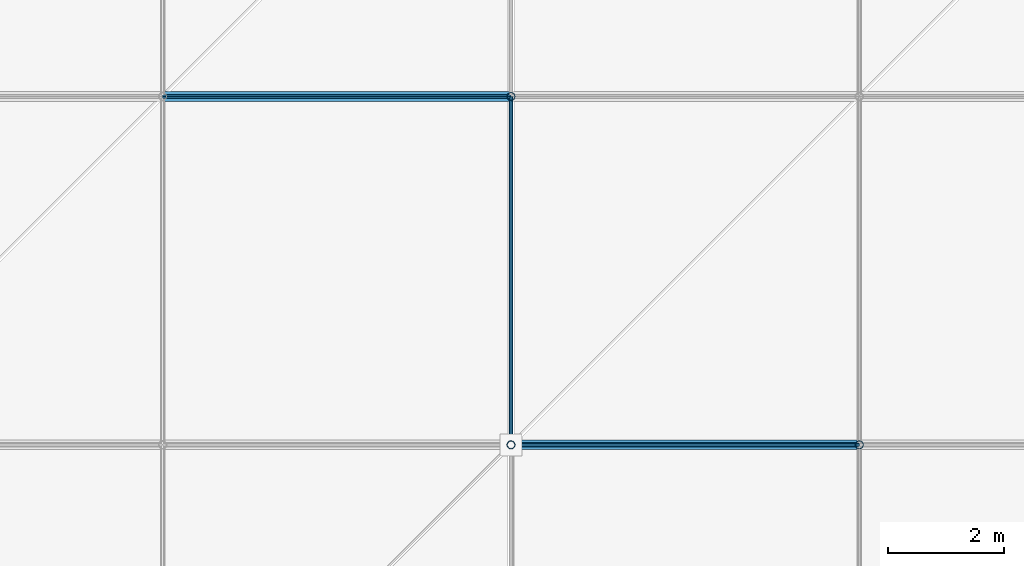
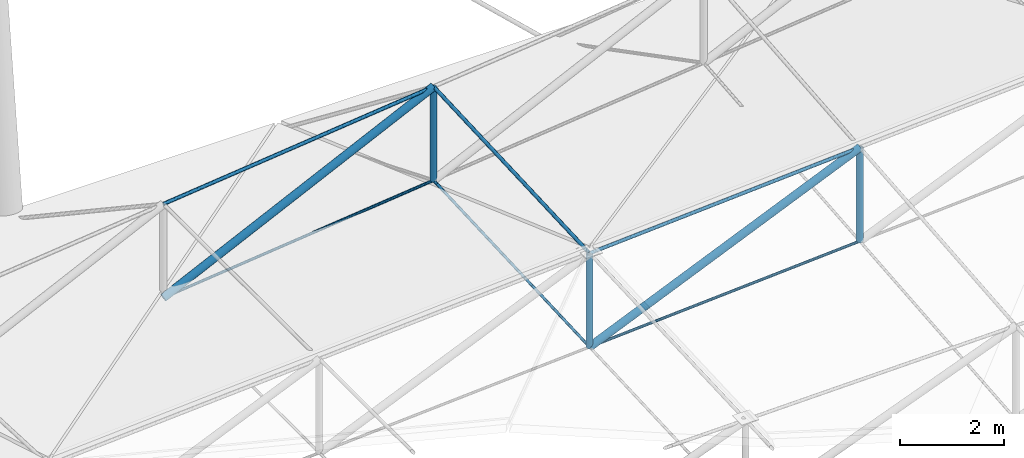
# One storey, part 39 of 132: 11 members.
"""IFC4 building model written with IfcOpenShell, lengths in metres."""

from ifc_helpers import new_model, si_unit, direction, frame, origin, origin_2d, place, context, subcontext, project, spatial, circle, hollow_circle, extrude, material, material_profile, profile_set, type_object, element, save


model = new_model("IFC4")

# Units and contexts
model_context = context("Model", 3, precision=1e-05, world=origin(), true_north=direction((0.0, 1.0)))
body_context = subcontext(model_context, "Body", "Model", "MODEL_VIEW")
ifc_project = project(units=[si_unit("LENGTHUNIT", "METRE"), si_unit("AREAUNIT", "SQUARE_METRE"), si_unit("VOLUMEUNIT", "CUBIC_METRE"), si_unit("PLANEANGLEUNIT", "RADIAN"), si_unit("MASSUNIT", "GRAM", prefix="KILO")], contexts=[model_context])

# Site, building, storey
site_placement = place(None, origin())
site = spatial("IfcSite", under=ifc_project, at=site_placement, CompositionType="ELEMENT")
building_placement = place(site_placement, origin())
building = spatial("IfcBuilding", under=site, at=building_placement, Name="Deido Ridge Mobility Hub", CompositionType="ELEMENT")
storey_placement = place(building_placement, frame((0.0, 0.0, 8.39990234375)))
storey = spatial("IfcBuildingStorey", under=building, at=storey_placement, Name="L02", CompositionType="ELEMENT", Elevation=8.39990234375)

# Members
ifc_material_1 = material(Name="Steel S460M EN 10025-4", Category="steel")
ifc_material_profile_1 = material_profile(ifc_material_1, circle(Radius=0.030029296875, at=origin_2d()), Name="CABLE D60")
ifc_profile_set_1 = profile_set([ifc_material_profile_1], Name="Steel S460M EN 10025-4")
member_type_1 = type_object("IfcMemberType", Name="MEM-CBL-D60", PredefinedType="USERDEFINED", material=ifc_profile_set_1)
member_1_placement = place(storey_placement, frame((36.0, 24.0, 2.183349609375), z_axis=(0.997963091729, 0.0, 0.063793946009), x_axis=(0.0, 1.0, 0.0)))
element("IfcMember", 1, at=member_1_placement, inside=storey, type_object=member_type_1, Name="Saddle lower stabilizing cable CB3", ObjectType="TENSION CABLE", PredefinedType="USERDEFINED", context=body_context, shape_type="SweptSolid", body=[
    extrude(circle(Radius=0.030029296875, at=origin_2d()), origin(), (0.0, 0.0, 1.0), 6.01220703125),
])
member_2_placement = place(storey_placement, frame((30.0, 30.0, 1.800048828125), z_axis=(0.994062945023, 0.0, 0.108806531661), x_axis=(0.0, 1.0, 0.0)))
element("IfcMember", 2, at=member_2_placement, inside=storey, type_object=member_type_1, Name="Saddle lower stabilizing cable CB3", ObjectType="TENSION CABLE", PredefinedType="USERDEFINED", context=body_context, shape_type="SweptSolid", body=[
    extrude(circle(Radius=0.030029296875, at=origin_2d()), origin(), (0.0, 0.0, 1.0), 6.035888671875),
])
member_3_placement = place(storey_placement, frame((36.0, 24.0, 2.183349609375), z_axis=(0.0, 0.998963169392, 0.045525665272), x_axis=(-1.0, 0.0, 0.0)))
element("IfcMember", 3, at=member_3_placement, inside=storey, type_object=member_type_1, Name="Saddle transverse valley cable CB3", ObjectType="TENSION CABLE", PredefinedType="USERDEFINED", context=body_context, shape_type="SweptSolid", body=[
    extrude(circle(Radius=0.030029296875, at=origin_2d()), origin(), (0.0, 0.0, 1.0), 6.00634765625),
])
ifc_material_profile_2 = material_profile(ifc_material_1, circle(Radius=0.0380859375, at=origin_2d()), Name="CABLE D76")
ifc_profile_set_2 = profile_set([ifc_material_profile_2], Name="Steel S460M EN 10025-4")
member_type_2 = type_object("IfcMemberType", Name="MEM-CBL-D76", PredefinedType="USERDEFINED", material=ifc_profile_set_2)
member_4_placement = place(storey_placement, frame((36.0, 24.0, 4.38330078125), z_axis=(0.997963091729, 0.0, 0.063793946009), x_axis=(0.0, 1.0, 0.0)))
element("IfcMember", 4, at=member_4_placement, inside=storey, type_object=member_type_2, Name="Saddle upper longitudinal cable CB2", ObjectType="TENSION CABLE", PredefinedType="USERDEFINED", context=body_context, shape_type="SweptSolid", body=[
    extrude(circle(Radius=0.0380859375, at=origin_2d()), origin(), (0.0, 0.0, 1.0), 6.01220703125),
])
member_5_placement = place(storey_placement, frame((30.0, 30.0, 4.0), z_axis=(0.994062945023, 0.0, 0.108806531661), x_axis=(0.0, 1.0, 0.0)))
element("IfcMember", 5, at=member_5_placement, inside=storey, type_object=member_type_2, Name="Saddle upper longitudinal cable CB2", ObjectType="TENSION CABLE", PredefinedType="USERDEFINED", context=body_context, shape_type="SweptSolid", body=[
    extrude(circle(Radius=0.0380859375, at=origin_2d()), origin(), (0.0, 0.0, 1.0), 6.035888671875),
])
member_6_placement = place(storey_placement, frame((36.0, 24.0, 4.38330078125), z_axis=(0.0, 0.998963169392, 0.045525665272), x_axis=(-1.0, 0.0, 0.0)))
element("IfcMember", 6, at=member_6_placement, inside=storey, type_object=member_type_2, Name="Saddle transverse ridge cable CB2", ObjectType="TENSION CABLE", PredefinedType="USERDEFINED", context=body_context, shape_type="SweptSolid", body=[
    extrude(circle(Radius=0.0380859375, at=origin_2d()), origin(), (0.0, 0.0, 1.0), 6.00634765625),
])
ifc_material_2 = material(Name="Steel S355J2H EN 10210-1", Category="steel")
ifc_material_profile_3 = material_profile(ifc_material_2, hollow_circle(Radius=0.06982421875, WallThickness=0.00634765625, at=origin_2d()), Name="CHS 139.7x6.3")
ifc_profile_set_3 = profile_set([ifc_material_profile_3], Name="Steel S355J2H EN 10210-1")
member_type_3 = type_object("IfcMemberType", Name="MEM-STR-CHS140", PredefinedType="STRUT", material=ifc_profile_set_3)
for number, where, z_axis, x_axis, name in (
    (7, (36.0, 24.0, 2.183349609375), (0.0, 0.0, 1.0), (1.0, 0.0, 0.0), "Cable-net vertical spreader strut SR2"),
    (8, (36.0, 30.0, 2.456787109375), (0.0, 0.0, 1.0), (1.0, 0.0, 0.0), "Cable-net vertical spreader strut SR2"),
    (9, (42.0, 24.0, 2.56689453125), (0.0, 0.0, 1.0), (1.0, 0.0, 0.0), "Cable-net vertical spreader strut SR2"),
):
    element("IfcMember", number, at=place(storey_placement, frame(where, z_axis=z_axis, x_axis=x_axis)), inside=storey, type_object=member_type_3, Name=name, PredefinedType="STRUT", context=body_context, shape_type="SweptSolid", body=[
        extrude(hollow_circle(Radius=0.06982421875, WallThickness=0.00634765625, at=origin_2d()), origin(), (0.0, 0.0, 1.0), 2.199951171875),
    ])
ifc_material_profile_4 = material_profile(ifc_material_2, hollow_circle(Radius=0.084228515625, WallThickness=0.008056640625, at=origin_2d()), Name="CHS 168.3x8")
ifc_profile_set_4 = profile_set([ifc_material_profile_4], Name="Steel S355J2H EN 10210-1")
member_type_4 = type_object("IfcMemberType", Name="MEM-STR-CHS168", PredefinedType="STRUT", material=ifc_profile_set_4)
member_7_placement = place(storey_placement, frame((36.0, 24.0, 2.183349609375), z_axis=(0.918474860171, 0.0, 0.39547936891), x_axis=(0.0, 1.0, 0.0)))
element("IfcMember", 10, at=member_7_placement, inside=storey, type_object=member_type_4, Name="Saddle diagonal web strut SR1", PredefinedType="STRUT", context=body_context, shape_type="SweptSolid", body=[
    extrude(hollow_circle(Radius=0.084228515625, WallThickness=0.008056640625, at=origin_2d()), origin(), (0.0, 0.0, 1.0), 6.532470703125),
])
member_8_placement = place(storey_placement, frame((30.0, 30.0, 1.800048828125), z_axis=(0.902887001475, 0.0, 0.429877962413), x_axis=(0.0, 1.0, 0.0)))
element("IfcMember", 11, at=member_8_placement, inside=storey, type_object=member_type_4, Name="Saddle diagonal web strut SR1", PredefinedType="STRUT", context=body_context, shape_type="SweptSolid", body=[
    extrude(hollow_circle(Radius=0.084228515625, WallThickness=0.008056640625, at=origin_2d()), origin(), (0.0, 0.0, 1.0), 6.645263671875),
])

save(model, "model.ifc")
